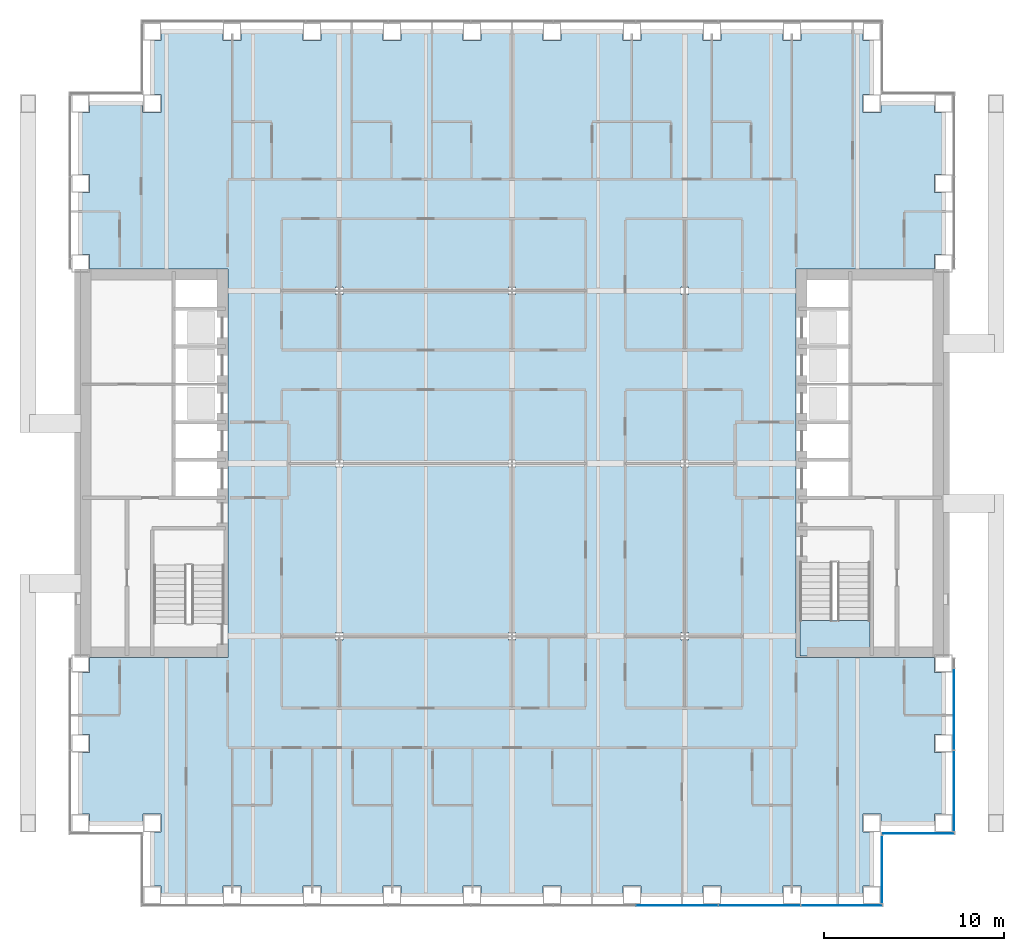
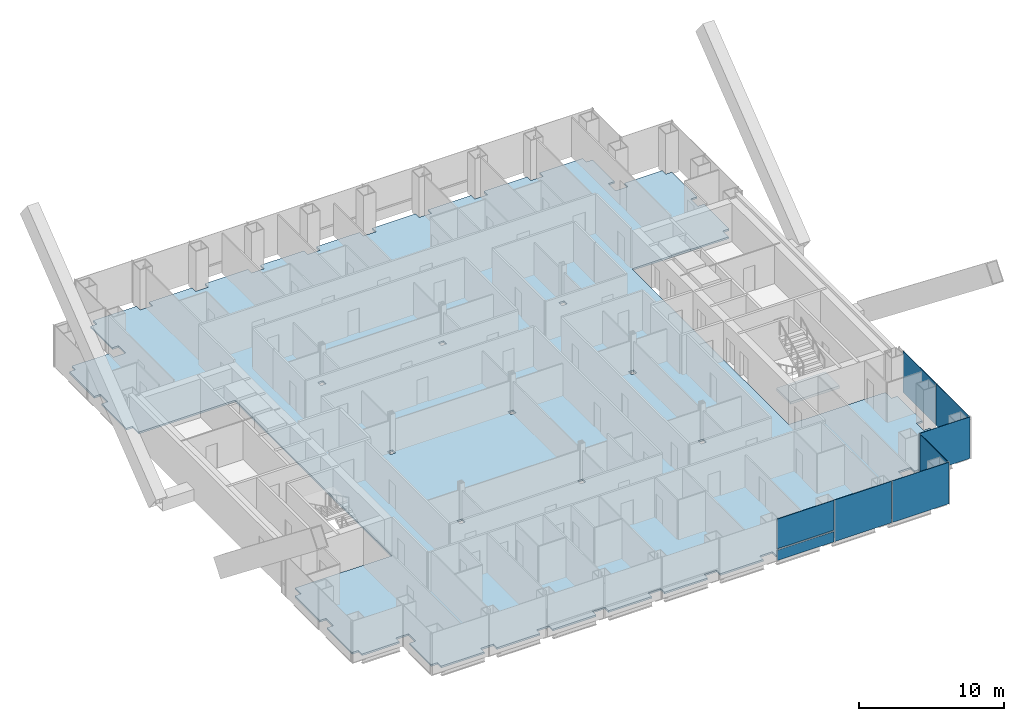
# One storey, part 13 of 23: 8 plates, 2 slabs, 5 elements without a shape of their own.
"""IFC4 building model written with IfcOpenShell, lengths in metres."""

from ifc_helpers import new_model, si_unit, direction, frame, origin, origin_2d, place, context, subcontext, project, spatial, polyline, rectangle, outline, extrude, material, layer, layer_set, type_object, element, aggregate, save


model = new_model("IFC4")

# Units and contexts
model_context = context("Model", 3, precision=1e-05, world=origin(), true_north=direction((0.0, 1.0)))
body_context = subcontext(model_context, "Body", "Model", "MODEL_VIEW")
ifc_project = project(units=[si_unit("LENGTHUNIT", "METRE"), si_unit("AREAUNIT", "SQUARE_METRE"), si_unit("VOLUMEUNIT", "CUBIC_METRE"), si_unit("PLANEANGLEUNIT", "RADIAN"), si_unit("MASSUNIT", "GRAM", prefix="KILO")], contexts=[model_context])

# Site, building, storey
site_placement = place(None, origin())
site = spatial("IfcSite", under=ifc_project, at=site_placement, CompositionType="ELEMENT")
building_placement = place(site_placement, origin())
building = spatial("IfcBuilding", under=site, at=building_placement, Name="Cobrizo Arcos Hotel Tower", CompositionType="ELEMENT")
storey_placement = place(building_placement, frame((0.0, 0.0, 56.5)))
storey = spatial("IfcBuildingStorey", under=building, at=storey_placement, Name="L12", CompositionType="ELEMENT", Elevation=56.5)

# Curtain wall, plates
ifc_material_1 = material(Name="Aluminium 6063-T6 anodised bronze", Category="aluminium")
curtain_wall_type = type_object("IfcCurtainWallType", Name="CW-A guest facade", PredefinedType="NOTDEFINED", material=ifc_material_1)
curtain_wall_1_placement = place(storey_placement, origin())
curtain_wall_1 = element("IfcCurtainWall", 1, at=curtain_wall_1_placement, inside=storey, type_object=curtain_wall_type, Name="CW-A L12 S face", PredefinedType="NOTDEFINED")
ifc_material_2 = material(Name="Glass clear laminated low-e", Category="glass")
ifc_layer_1 = layer(ifc_material_2, 0.0400390625)
ifc_layer_set_1 = layer_set([ifc_layer_1], Name="CW-A glass panel")
plate_type_1 = type_object("IfcPlateType", Name="CW-A glass panel", PredefinedType="CURTAIN_PANEL", material=ifc_layer_set_1)
plate_1_placement = place(storey_placement, frame((9.177734375, -24.574951171875, 0.990234375), z_axis=(0.0, 0.0, 1.0), x_axis=(1.0, 0.0, 0.0)))
plate_1 = element("IfcPlate", 2, at=plate_1_placement, type_object=plate_type_1, Name="CW-A glass panel 557", PredefinedType="CURTAIN_PANEL", context=body_context, shape_type="SweptSolid", body=[
    extrude(rectangle(XDim=4.52880859375, YDim=0.0400390625, at=origin_2d()), origin(), (0.0, 0.0, 1.0), 2.510009765625),
])
ifc_material_3 = material(Name="Aluminium composite panel pale metal", Category="aluminium")
ifc_layer_2 = layer(ifc_material_3, 0.0400390625)
ifc_layer_set_2 = layer_set([ifc_layer_2], Name="CW-A spandrel panel")
plate_type_2 = type_object("IfcPlateType", Name="CW-A spandrel panel", PredefinedType="CURTAIN_PANEL", material=ifc_layer_set_2)
plate_2_placement = place(storey_placement, frame((9.177734375, -24.574951171875, 0.0), z_axis=(0.0, 0.0, 1.0), x_axis=(1.0, 0.0, 0.0)))
plate_2 = element("IfcPlate", 3, at=plate_2_placement, type_object=plate_type_2, Name="CW-A spandrel panel 557", PredefinedType="CURTAIN_PANEL", context=body_context, shape_type="SweptSolid", body=[
    extrude(rectangle(XDim=4.52880859375, YDim=0.0400390625, at=origin_2d()), origin(), (0.0, 0.0, 1.0), 0.8701171875),
])
plate_3_placement = place(storey_placement, frame((13.7666015625, -24.574951171875, 0.0), z_axis=(0.0, 0.0, 1.0), x_axis=(1.0, 0.0, 0.0)))
plate_3 = element("IfcPlate", 4, at=plate_3_placement, type_object=plate_type_2, Name="CW-A spandrel panel 558", PredefinedType="CURTAIN_PANEL", context=body_context, shape_type="SweptSolid", body=[
    extrude(rectangle(XDim=4.52880859375, YDim=0.0400390625, at=origin_2d()), origin(), (0.0, 0.0, 1.0), 3.5),
])
plate_4_placement = place(storey_placement, frame((18.340576171875, -24.574951171875, 0.0), z_axis=(0.0, 0.0, 1.0), x_axis=(1.0, 0.0, 0.0)))
plate_4 = element("IfcPlate", 5, at=plate_4_placement, type_object=plate_type_2, Name="CW-A spandrel panel 559", PredefinedType="CURTAIN_PANEL", context=body_context, shape_type="SweptSolid", body=[
    extrude(rectangle(XDim=4.498779296875, YDim=0.0400390625, at=origin_2d()), origin(), (0.0, 0.0, 1.0), 3.5),
])
aggregate(curtain_wall_1, [plate_2, plate_1, plate_3, plate_4])

# Curtain wall, plate
curtain_wall_2_placement = place(storey_placement, origin())
curtain_wall_2 = element("IfcCurtainWall", 6, at=curtain_wall_2_placement, inside=storey, type_object=curtain_wall_type, Name="CW-A L12 E face", PredefinedType="NOTDEFINED")
plate_5_placement = place(storey_placement, frame((20.574951171875, -22.574951171875, 0.0), z_axis=(0.0, 0.0, 1.0), x_axis=(0.0, 1.0, 0.0)))
plate_5 = element("IfcPlate", 7, at=plate_5_placement, type_object=plate_type_2, Name="CW-A spandrel panel 560", PredefinedType="CURTAIN_PANEL", context=body_context, shape_type="SweptSolid", body=[
    extrude(rectangle(XDim=3.72998046875, YDim=0.0400390625, at=origin_2d()), origin(), (0.0, 0.0, 1.0), 3.5),
])
aggregate(curtain_wall_2, [plate_5])

curtain_wall_3_placement = place(storey_placement, origin())
curtain_wall_3 = element("IfcCurtainWall", 8, at=curtain_wall_3_placement, inside=storey, type_object=curtain_wall_type, Name="CW-A L12 S face", PredefinedType="NOTDEFINED")
plate_6_placement = place(storey_placement, frame((22.574951171875, -20.574951171875, 0.0), z_axis=(0.0, 0.0, 1.0), x_axis=(1.0, 0.0, 0.0)))
plate_6 = element("IfcPlate", 9, at=plate_6_placement, type_object=plate_type_2, Name="CW-A spandrel panel 561", PredefinedType="CURTAIN_PANEL", context=body_context, shape_type="SweptSolid", body=[
    extrude(rectangle(XDim=4.030029296875, YDim=0.0400390625, at=origin_2d()), origin(), (0.0, 0.0, 1.0), 3.5),
])
aggregate(curtain_wall_3, [plate_6])

# Curtain wall, plates
curtain_wall_4_placement = place(storey_placement, origin())
curtain_wall_4 = element("IfcCurtainWall", 10, at=curtain_wall_4_placement, inside=storey, type_object=curtain_wall_type, Name="CW-A L12 E face", PredefinedType="NOTDEFINED")
plate_7_placement = place(storey_placement, frame((24.574951171875, -18.207275390625, 0.0), z_axis=(0.0, 0.0, 1.0), x_axis=(0.0, 1.0, 0.0)))
plate_7 = element("IfcPlate", 11, at=plate_7_placement, type_object=plate_type_2, Name="CW-A spandrel panel 562", PredefinedType="CURTAIN_PANEL", context=body_context, shape_type="SweptSolid", body=[
    extrude(rectangle(XDim=4.465576171875, YDim=0.0400390625, at=origin_2d()), origin(), (0.0, 0.0, 1.0), 3.5),
])
plate_8_placement = place(storey_placement, frame((24.574951171875, -13.666748046875, 0.0), z_axis=(0.0, 0.0, 1.0), x_axis=(0.0, 1.0, 0.0)))
plate_8 = element("IfcPlate", 12, at=plate_8_placement, type_object=plate_type_2, Name="CW-A spandrel panel 563", PredefinedType="CURTAIN_PANEL", context=body_context, shape_type="SweptSolid", body=[
    extrude(rectangle(XDim=4.49560546875, YDim=0.0400390625, at=origin_2d()), origin(), (0.0, 0.0, 1.0), 3.5),
])
aggregate(curtain_wall_4, [plate_7, plate_8])

# Slab
ifc_material_4 = material(Name="Concrete f'c 35 MPa", Category="concrete")
ifc_layer_3 = layer(ifc_material_4, 0.14990234375)
ifc_layer_set_3 = layer_set([ifc_layer_3], Name="Composite floor slab 150 f'c 35")
slab_type_1 = type_object("IfcSlabType", Name="Composite floor slab 150 f'c 35", PredefinedType="FLOOR", material=ifc_layer_set_3)
slab_1_placement = place(storey_placement, frame((0.0, 0.0, -0.14990234375)))
element("IfcSlab", 13, at=slab_1_placement, inside=storey, type_object=slab_type_1, Name="Floor slab S5, L12, no. 01", PredefinedType="FLOOR", context=body_context, shape_type="SweptSolid", body=[
    extrude(outline(polyline([(-19.5, -24.0), (-19.5, -23.5), (-20.0, -23.5), (-20.0, -20.5), (-19.5, -20.5), (-19.5, -19.5), (-20.5, -19.5), (-20.5, -20.0), (-23.5, -20.0), (-23.5, -19.5), (-24.0, -19.5), (-24.0, -16.055908203125), (-23.5, -16.055908203125), (-23.5, -15.055908203125), (-24.0, -15.055908203125), (-24.0, -11.611083984375), (-23.5, -11.611083984375), (-23.5, -10.800048828125), (-15.800048828125, -10.800048828125), (-15.800048828125, 10.800048828125), (-23.5, 10.800048828125), (-23.5, 11.611083984375), (-24.0, 11.611083984375), (-24.0, 15.055908203125), (-23.5, 15.055908203125), (-23.5, 16.055908203125), (-24.0, 16.055908203125), (-24.0, 19.5), (-23.5, 19.5), (-23.5, 20.0), (-20.5, 20.0), (-20.5, 19.5), (-19.5, 19.5), (-19.5, 20.5), (-20.0, 20.5), (-20.0, 23.5), (-19.5, 23.5), (-19.5, 24.0), (-16.055908203125, 24.0), (-16.055908203125, 23.5), (-15.055908203125, 23.5), (-15.055908203125, 24.0), (-11.611083984375, 24.0), (-11.611083984375, 23.5), (-10.611083984375, 23.5), (-10.611083984375, 24.0), (-7.1669921875, 24.0), (-7.1669921875, 23.5), (-6.1669921875, 23.5), (-6.1669921875, 24.0), (-2.721923828125, 24.0), (-2.721923828125, 23.5), (-1.721923828125, 23.5), (-1.721923828125, 24.0), (1.721923828125, 24.0), (1.721923828125, 23.5), (2.721923828125, 23.5), (2.721923828125, 24.0), (6.1669921875, 24.0), (6.1669921875, 23.5), (7.1669921875, 23.5), (7.1669921875, 24.0), (10.611083984375, 24.0), (10.611083984375, 23.5), (11.611083984375, 23.5), (11.611083984375, 24.0), (15.055908203125, 24.0), (15.055908203125, 23.5), (16.055908203125, 23.5), (16.055908203125, 24.0), (19.5, 24.0), (19.5, 23.5), (20.0, 23.5), (20.0, 20.5), (19.5, 20.5), (19.5, 19.5), (20.5, 19.5), (20.5, 20.0), (23.5, 20.0), (23.5, 19.5), (24.0, 19.5), (24.0, 16.055908203125), (23.5, 16.055908203125), (23.5, 15.055908203125), (24.0, 15.055908203125), (24.0, 11.611083984375), (23.5, 11.611083984375), (23.5, 10.800048828125), (15.800048828125, 10.800048828125), (15.800048828125, -10.800048828125), (23.5, -10.800048828125), (23.5, -11.611083984375), (24.0, -11.611083984375), (24.0, -15.055908203125), (23.5, -15.055908203125), (23.5, -16.055908203125), (24.0, -16.055908203125), (24.0, -19.5), (23.5, -19.5), (23.5, -20.0), (20.5, -20.0), (20.5, -19.5), (19.5, -19.5), (19.5, -20.5), (20.0, -20.5), (20.0, -23.5), (19.5, -23.5), (19.5, -24.0), (16.055908203125, -24.0), (16.055908203125, -23.5), (15.055908203125, -23.5), (15.055908203125, -24.0), (11.611083984375, -24.0), (11.611083984375, -23.5), (10.611083984375, -23.5), (10.611083984375, -24.0), (7.1669921875, -24.0), (7.1669921875, -23.5), (6.1669921875, -23.5), (6.1669921875, -24.0), (2.721923828125, -24.0), (2.721923828125, -23.5), (1.721923828125, -23.5), (1.721923828125, -24.0), (-1.721923828125, -24.0), (-1.721923828125, -23.5), (-2.721923828125, -23.5), (-2.721923828125, -24.0), (-6.1669921875, -24.0), (-6.1669921875, -23.5), (-7.1669921875, -23.5), (-7.1669921875, -24.0), (-10.611083984375, -24.0), (-10.611083984375, -23.5), (-11.611083984375, -23.5), (-11.611083984375, -24.0), (-15.055908203125, -24.0), (-15.055908203125, -23.5), (-16.055908203125, -23.5), (-16.055908203125, -24.0), (-19.5, -24.0)]), holes=[polyline([(-9.3955078125, 9.3955078125), (-9.3955078125, 9.804443359375), (-9.804443359375, 9.804443359375), (-9.804443359375, 9.3955078125), (-9.3955078125, 9.3955078125)]), polyline([(-9.3955078125, -9.804443359375), (-9.3955078125, -9.3955078125), (-9.804443359375, -9.3955078125), (-9.804443359375, -9.804443359375), (-9.3955078125, -9.804443359375)]), polyline([(-0.204345703125, -9.804443359375), (0.204345703125, -9.804443359375), (0.204345703125, -9.3955078125), (-0.204345703125, -9.3955078125), (-0.204345703125, -9.804443359375)]), polyline([(9.3955078125, -9.804443359375), (9.804443359375, -9.804443359375), (9.804443359375, -9.3955078125), (9.3955078125, -9.3955078125), (9.3955078125, -9.804443359375)]), polyline([(-9.3955078125, -0.204345703125), (-9.3955078125, 0.204345703125), (-9.804443359375, 0.204345703125), (-9.804443359375, -0.204345703125), (-9.3955078125, -0.204345703125)]), polyline([(-0.204345703125, -0.204345703125), (0.204345703125, -0.204345703125), (0.204345703125, 0.204345703125), (-0.204345703125, 0.204345703125), (-0.204345703125, -0.204345703125)]), polyline([(9.3955078125, -0.204345703125), (9.804443359375, -0.204345703125), (9.804443359375, 0.204345703125), (9.3955078125, 0.204345703125), (9.3955078125, -0.204345703125)]), polyline([(0.204345703125, 9.3955078125), (0.204345703125, 9.804443359375), (-0.204345703125, 9.804443359375), (-0.204345703125, 9.3955078125), (0.204345703125, 9.3955078125)]), polyline([(9.3955078125, 9.3955078125), (9.804443359375, 9.3955078125), (9.804443359375, 9.804443359375), (9.3955078125, 9.804443359375), (9.3955078125, 9.3955078125)])]), origin(), (0.0, 0.0, 1.0), 0.14990234375),
])

# Stair, slab
ifc_material_5 = material(Name="Concrete f'c 40 MPa", Category="concrete")
stair_type = type_object("IfcStairType", Name="Exit stair", PredefinedType="HALF_TURN_STAIR", material=ifc_material_5)
stair_placement = place(storey_placement, origin())
stair = element("IfcStair", 14, at=stair_placement, inside=storey, type_object=stair_type, Name="L12 Exit stair ST-E", PredefinedType="HALF_TURN_STAIR")
ifc_layer_4 = layer(ifc_material_5, 0.199951171875)
ifc_layer_set_4 = layer_set([ifc_layer_4], Name="Stair landing")
slab_type_2 = type_object("IfcSlabType", Name="Stair landing", PredefinedType="LANDING", material=ifc_layer_set_4)
slab_2_placement = place(storey_placement, frame((0.0, 0.0, 1.550048828125)))
slab_2 = element("IfcSlab", 15, at=slab_2_placement, type_object=slab_type_2, Name="ST-E landing 1", PredefinedType="LANDING", context=body_context, shape_type="SweptSolid", body=[
    extrude(outline(polyline([(16.0, -8.739990234375), (16.0, -10.699951171875), (19.89990234375, -10.699951171875), (19.89990234375, -8.739990234375), (16.0, -8.739990234375)])), origin(), (0.0, 0.0, 1.0), 0.199951171875),
])
aggregate(stair, [slab_2])

save(model, "model.ifc")
